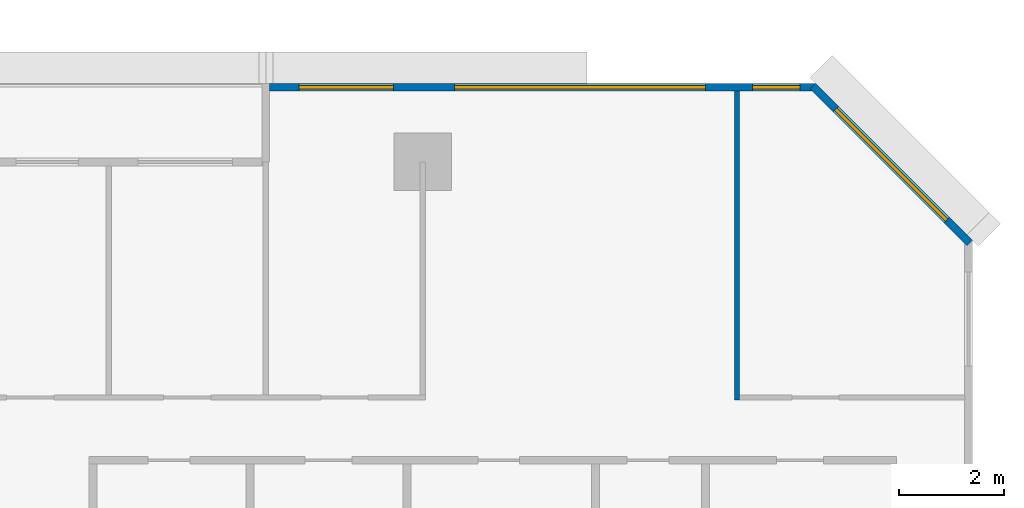
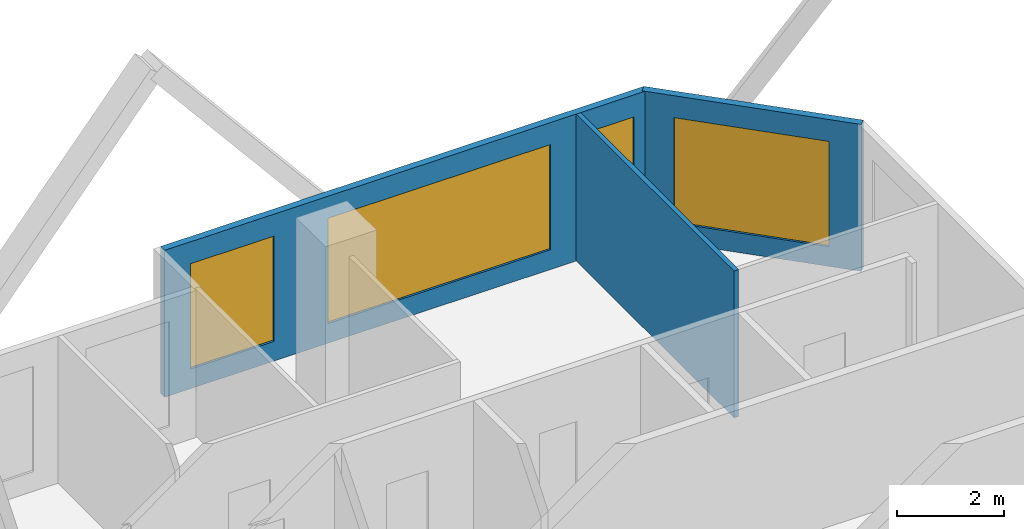
# One storey, part 12 of 15: 4 windows, 3 walls, 4 openings.
"""IFC4 building model written with IfcOpenShell, lengths in metres."""

from ifc_helpers import new_model, si_unit, direction, frame, frame_2d, origin, place, context, subcontext, project, spatial, rectangle, extrude, material, layer, layer_set, type_object, element, fill, save


model = new_model("IFC4")

# Units and contexts
model_context = context("Model", 3, precision=1e-05, world=origin(), true_north=direction((0.0, 1.0)))
body_context = subcontext(model_context, "Body", "Model", "MODEL_VIEW")
ifc_project = project(units=[si_unit("LENGTHUNIT", "METRE"), si_unit("AREAUNIT", "SQUARE_METRE"), si_unit("VOLUMEUNIT", "CUBIC_METRE"), si_unit("PLANEANGLEUNIT", "RADIAN"), si_unit("MASSUNIT", "GRAM", prefix="KILO")], contexts=[model_context])

# Site, building, storey
site_placement = place(None, origin())
site = spatial("IfcSite", under=ifc_project, at=site_placement, CompositionType="ELEMENT")
building_placement = place(site_placement, origin())
building = spatial("IfcBuilding", under=site, at=building_placement, Name="Chenar Terraces", CompositionType="ELEMENT")
storey_placement = place(building_placement, frame((0.0, 0.0, 48.89990234375)))
storey = spatial("IfcBuildingStorey", under=building, at=storey_placement, Name="L09", CompositionType="ELEMENT", Elevation=48.89990234375)

# Wall, openings, windows
ifc_material_1 = material(Name="Aluminium framed glazing", Category="aluminium")
ifc_layer_1 = layer(ifc_material_1, 0.14990234375)
ifc_layer_set_1 = layer_set([ifc_layer_1], Name="Aluminium framed glazing")
wall_type_1 = type_object("IfcWallType", Name="Glazed flush facade wall 150", PredefinedType="SOLIDWALL", material=ifc_layer_set_1)
wall_1_placement = place(storey_placement, frame((70.5, 25.425048828125, 0.0), z_axis=(0.0, 0.0, 1.0), x_axis=(-1.0, 0.0, 0.0)))
wall_1 = element("IfcWall", 1, at=wall_1_placement, inside=storey, type_object=wall_type_1, Name="Glazed flush facade wall", PredefinedType="SOLIDWALL", context=body_context, shape_type="SweptSolid", body=[
    extrude(rectangle(XDim=10.425048828125, YDim=0.14990234375, at=frame_2d((5.21240234375, 0.0))), origin(), (0.0, 0.0, 1.0), 3.35009765625),
])
opening_1_placement = place(wall_1_placement, frame((0.300048828125, 0.0, 0.449951171875)))
opening_1 = element("IfcOpeningElement", 2, at=opening_1_placement, cuts=wall_1, Name="Opening W90x240", PredefinedType="OPENING", context=body_context, shape_type="SweptSolid", body=[
    extrude(rectangle(XDim=0.89990234375, YDim=2.39990234375, at=frame_2d((0.449951171875, 1.199951171875))), frame((0.0, 0.0849609375, 0.0), z_axis=(0.0, -1.0, 0.0), x_axis=(1.0, 0.0, 0.0)), (0.0, 0.0, 1.0), 0.169921875),
])
opening_2_placement = place(wall_1_placement, frame((2.10009765625, 0.0, 0.449951171875)))
opening_2 = element("IfcOpeningElement", 3, at=opening_2_placement, cuts=wall_1, Name="Opening W480x240", PredefinedType="OPENING", context=body_context, shape_type="SweptSolid", body=[
    extrude(rectangle(XDim=4.800048828125, YDim=2.39990234375, at=frame_2d((2.39990234375, 1.199951171875))), frame((0.0, 0.0849609375, 0.0), z_axis=(0.0, -1.0, 0.0), x_axis=(1.0, 0.0, 0.0)), (0.0, 0.0, 1.0), 0.169921875),
])
opening_3_placement = place(wall_1_placement, frame((8.0625, 0.0, 0.449951171875)))
opening_3 = element("IfcOpeningElement", 4, at=opening_3_placement, cuts=wall_1, Name="Opening W180x240", PredefinedType="OPENING", context=body_context, shape_type="SweptSolid", body=[
    extrude(rectangle(XDim=1.800048828125, YDim=2.39990234375, at=frame_2d((0.89990234375, 1.199951171875))), frame((0.0, 0.0849609375, 0.0), z_axis=(0.0, -1.0, 0.0), x_axis=(1.0, 0.0, 0.0)), (0.0, 0.0, 1.0), 0.169921875),
])
ifc_material_2 = material(Name="Low emissivity double glazing, aluminium frame", Category="aluminium")
window_type_1 = type_object("IfcWindowType", Name="Fixed light 1800 x 2400", PartitioningType="SINGLE_PANEL", PredefinedType="WINDOW", material=ifc_material_2)
window_1_placement = place(opening_3_placement, origin())
window_1 = element("IfcWindow", 5, at=window_1_placement, inside=storey, type_object=window_type_1, Name="Window", OverallHeight=2.39990234375, OverallWidth=1.800048828125, PartitioningType="SINGLE_PANEL", PredefinedType="WINDOW", context=body_context, shape_type="SweptSolid", body=[
    extrude(rectangle(XDim=1.800048828125, YDim=2.39990234375, at=frame_2d((0.89990234375, 1.199951171875))), frame((0.0, 0.030029296875, 0.0), z_axis=(0.0, -1.0, 0.0), x_axis=(1.0, 0.0, 0.0)), (0.0, 0.0, 1.0), 0.06005859375),
])
fill(opening_3, window_1)
ifc_material_3 = material(Name="Low emissivity double glazing, aluminium frame", Category="aluminium")
window_type_2 = type_object("IfcWindowType", Name="Fixed light 4800 x 2400", PartitioningType="SINGLE_PANEL", PredefinedType="WINDOW", material=ifc_material_3)
window_2_placement = place(opening_2_placement, origin())
window_2 = element("IfcWindow", 6, at=window_2_placement, inside=storey, type_object=window_type_2, Name="Window", OverallHeight=2.39990234375, OverallWidth=4.800048828125, PartitioningType="SINGLE_PANEL", PredefinedType="WINDOW", context=body_context, shape_type="SweptSolid", body=[
    extrude(rectangle(XDim=4.800048828125, YDim=2.39990234375, at=frame_2d((2.39990234375, 1.199951171875))), frame((0.0, 0.030029296875, 0.0), z_axis=(0.0, -1.0, 0.0), x_axis=(1.0, 0.0, 0.0)), (0.0, 0.0, 1.0), 0.06005859375),
])
fill(opening_2, window_2)
ifc_material_4 = material(Name="Low emissivity double glazing, aluminium frame", Category="aluminium")
window_type_3 = type_object("IfcWindowType", Name="Fixed light 900 x 2400", PartitioningType="SINGLE_PANEL", PredefinedType="WINDOW", material=ifc_material_4)
window_3_placement = place(opening_1_placement, origin())
window_3 = element("IfcWindow", 7, at=window_3_placement, inside=storey, type_object=window_type_3, Name="Window", OverallHeight=2.39990234375, OverallWidth=0.89990234375, PartitioningType="SINGLE_PANEL", PredefinedType="WINDOW", context=body_context, shape_type="SweptSolid", body=[
    extrude(rectangle(XDim=0.89990234375, YDim=2.39990234375, at=frame_2d((0.449951171875, 1.199951171875))), frame((0.0, 0.030029296875, 0.0), z_axis=(0.0, -1.0, 0.0), x_axis=(1.0, 0.0, 0.0)), (0.0, 0.0, 1.0), 0.06005859375),
])
fill(opening_1, window_3)

# Wall
ifc_material_5 = material(Name="Gypsum board on steel studs", Category="steel")
ifc_layer_2 = layer(ifc_material_5, 0.10009765625)
ifc_layer_set_2 = layer_set([ifc_layer_2], Name="Gypsum board on steel studs")
wall_type_2 = type_object("IfcWallType", Name="Gypsum partition 100", PredefinedType="PARTITIONING", material=ifc_layer_set_2)
wall_2_placement = place(storey_placement, frame((69.0, 19.449951171875, 0.0), z_axis=(0.0, 0.0, 1.0), x_axis=(0.0, 1.0, 0.0)))
element("IfcWall", 8, at=wall_2_placement, inside=storey, type_object=wall_type_2, Name="Partition L09-108", PredefinedType="PARTITIONING", context=body_context, shape_type="SweptSolid", body=[
    extrude(rectangle(XDim=5.900146484375, YDim=0.10009765625, at=frame_2d((2.9501953125, 0.0))), origin(), (0.0, 0.0, 1.0), 3.35009765625),
])

# Wall, opening, window
ifc_material_6 = material(Name="Terracotta cladding on insulated backing", Category="masonry")
ifc_layer_3 = layer(ifc_material_6, 0.14990234375)
ifc_layer_set_3 = layer_set([ifc_layer_3], Name="Terracotta cladding on insulated backing")
wall_type_3 = type_object("IfcWallType", Name="Terracotta rainscreen wall 150", PredefinedType="SOLIDWALL", material=ifc_layer_set_3)
wall_3_placement = place(storey_placement, frame((73.447021484375, 22.447021484375, 0.0), z_axis=(0.0, 0.0, 1.0), x_axis=(-0.707106781187, 0.707106781187, 0.0)))
wall_3 = element("IfcWall", 9, at=wall_3_placement, inside=storey, type_object=wall_type_3, Name="Terracotta rainscreen wall", PredefinedType="SOLIDWALL", context=body_context, shape_type="SweptSolid", body=[
    extrude(rectangle(XDim=4.24267578125, YDim=0.14990234375, at=frame_2d((2.121337890625, 0.0))), origin(), (0.0, 0.0, 1.0), 3.35009765625),
])
opening_4_placement = place(wall_3_placement, frame((0.621337890625, 0.0, 0.449951171875)))
opening_4 = element("IfcOpeningElement", 10, at=opening_4_placement, cuts=wall_3, Name="Opening W300x240", PredefinedType="OPENING", context=body_context, shape_type="SweptSolid", body=[
    extrude(rectangle(XDim=3.0, YDim=2.39990234375, at=frame_2d((1.5, 1.199951171875))), frame((0.0, 0.0849609375, 0.0), z_axis=(0.0, -1.0, 0.0), x_axis=(1.0, 0.0, 0.0)), (0.0, 0.0, 1.0), 0.169921875),
])
ifc_material_7 = material(Name="Low emissivity double glazing, aluminium frame", Category="aluminium")
window_type_4 = type_object("IfcWindowType", Name="Fixed light 3000 x 2400", PartitioningType="SINGLE_PANEL", PredefinedType="WINDOW", material=ifc_material_7)
window_4_placement = place(opening_4_placement, origin())
window_4 = element("IfcWindow", 11, at=window_4_placement, inside=storey, type_object=window_type_4, Name="Window", OverallHeight=2.39990234375, OverallWidth=3.0, PartitioningType="SINGLE_PANEL", PredefinedType="WINDOW", context=body_context, shape_type="SweptSolid", body=[
    extrude(rectangle(XDim=3.0, YDim=2.39990234375, at=frame_2d((1.5, 1.199951171875))), frame((0.0, 0.030029296875, 0.0), z_axis=(0.0, -1.0, 0.0), x_axis=(1.0, 0.0, 0.0)), (0.0, 0.0, 1.0), 0.06005859375),
])
fill(opening_4, window_4)

save(model, "model.ifc")
